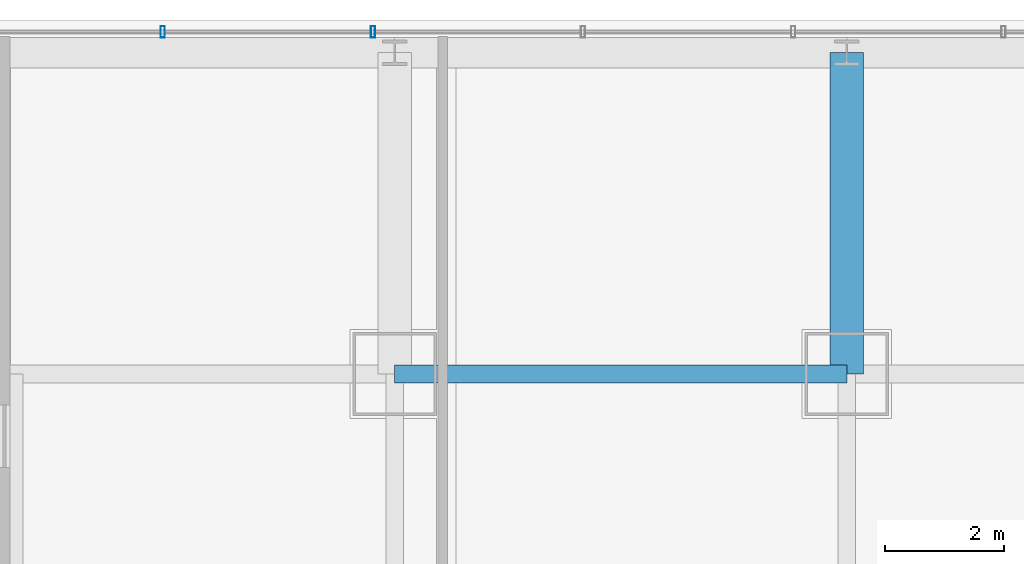
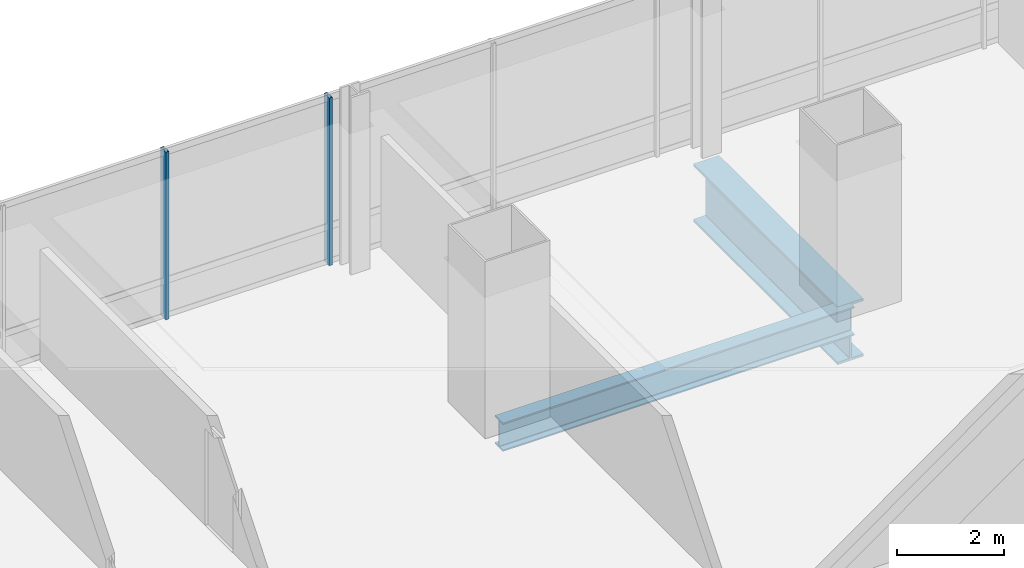
# One storey, part 23 of 38: 2 beams, 2 members, 1 element without a shape of its own.
"""IFC4 building model written with IfcOpenShell, lengths in metres."""

from ifc_helpers import new_model, si_unit, direction, frame, origin, origin_2d, place, context, subcontext, project, spatial, hollow_rectangle, i_section, extrude, material, material_profile, profile_set, type_object, element, aggregate, save


model = new_model("IFC4")

# Units and contexts
model_context = context("Model", 3, precision=1e-05, world=origin(), true_north=direction((0.0, 1.0)))
body_context = subcontext(model_context, "Body", "Model", "MODEL_VIEW")
ifc_project = project(units=[si_unit("LENGTHUNIT", "METRE"), si_unit("AREAUNIT", "SQUARE_METRE"), si_unit("VOLUMEUNIT", "CUBIC_METRE"), si_unit("PLANEANGLEUNIT", "RADIAN"), si_unit("MASSUNIT", "GRAM", prefix="KILO")], contexts=[model_context])

# Site, building, storey
site_placement = place(None, origin())
site = spatial("IfcSite", under=ifc_project, at=site_placement, CompositionType="ELEMENT")
building_placement = place(site_placement, origin())
building = spatial("IfcBuilding", under=site, at=building_placement, Name="Punatoya Terracotta Tower", CompositionType="ELEMENT")
storey_placement = place(building_placement, frame((0.0, 0.0, 147.89990234375)))
storey = spatial("IfcBuildingStorey", under=building, at=storey_placement, Name="L34", CompositionType="ELEMENT", Elevation=147.89990234375)

# Beams
ifc_material_1 = material(Name="Steel S355", Category="steel")
ifc_material_profile_1 = material_profile(ifc_material_1, i_section(OverallWidth=0.300048828125, OverallDepth=0.64990234375, WebThickness=0.01611328125, FlangeThickness=0.031005859375, FilletRadius=0.01806640625, at=origin_2d()))
ifc_profile_set_1 = profile_set([ifc_material_profile_1], Name="Steel S355")
beam_type_1 = type_object("IfcBeamType", Name="BM-PRI-650", PredefinedType="BEAM", material=ifc_profile_set_1)
beam_1_placement = place(storey_placement, frame((-3.800048828125, 17.5, -0.544921875), z_axis=(1.0, 0.0, 0.0), x_axis=(0.0, 1.0, 0.0)))
element("IfcBeam", 1, at=beam_1_placement, inside=storey, type_object=beam_type_1, Name="BM-L34-RG-N2", PredefinedType="BEAM", context=body_context, shape_type="SweptSolid", body=[
    extrude(i_section(OverallWidth=0.300048828125, OverallDepth=0.64990234375, WebThickness=0.01611328125, FlangeThickness=0.031005859375, FilletRadius=0.01806640625, at=origin_2d()), origin(), (0.0, 0.0, 1.0), 7.60009765625),
])
ifc_material_2 = material(Name="Steel S460", Category="steel")
ifc_material_profile_2 = material_profile(ifc_material_2, i_section(OverallWidth=0.56005859375, OverallDepth=1.320068359375, WebThickness=0.035888671875, FlangeThickness=0.054931640625, FilletRadius=0.01806640625, at=origin_2d()))
ifc_profile_set_2 = profile_set([ifc_material_profile_2], Name="Steel S460")
beam_type_2 = type_object("IfcBeamType", Name="BM-TG-BLK", PredefinedType="BEAM", material=ifc_profile_set_2)
beam_2_placement = place(storey_placement, frame((3.800048828125, 17.5, -0.8798828125), z_axis=(0.0, 1.0, 0.0), x_axis=(-1.0, 0.0, 0.0)))
element("IfcBeam", 2, at=beam_2_placement, inside=storey, type_object=beam_type_2, Name="BM-L34-CANT-N3", PredefinedType="BEAM", context=body_context, shape_type="SweptSolid", body=[
    extrude(i_section(OverallWidth=0.56005859375, OverallDepth=1.320068359375, WebThickness=0.035888671875, FlangeThickness=0.054931640625, FilletRadius=0.01806640625, at=origin_2d()), origin(), (0.0, 0.0, 1.0), 5.39990234375),
])

# Curtain wall, members
ifc_material_3 = material(Name="Aluminium 6063-T6 + Double Low-E Glass", Category="aluminium")
curtain_wall_type = type_object("IfcCurtainWallType", Name="CW-M2", PredefinedType="NOTDEFINED", material=ifc_material_3)
curtain_wall_placement = place(storey_placement, origin())
curtain_wall = element("IfcCurtainWall", 3, at=curtain_wall_placement, inside=storey, type_object=curtain_wall_type, Name="L34 Curtain Wall CW-L34-N09-1", PredefinedType="NOTDEFINED")
ifc_material_4 = material(Name="Aluminium 6063-T6", Category="aluminium")
ifc_material_profile_3 = material_profile(ifc_material_4, hollow_rectangle(XDim=0.072021484375, YDim=0.195068359375, WallThickness=0.00439453125, at=origin_2d()))
ifc_profile_set_3 = profile_set([ifc_material_profile_3], Name="Aluminium 6063-T6")
member_type = type_object("IfcMemberType", Name="CW-MUL-M2", PredefinedType="MULLION", material=ifc_profile_set_3)
member_1_placement = place(storey_placement, frame((-4.1669921875, 23.25, 0.0), z_axis=(0.0, 0.0, 1.0), x_axis=(1.0, 0.0, 0.0)))
member_1 = element("IfcMember", 4, at=member_1_placement, type_object=member_type, Name="CW-L34-N09-1 Mullion 06", PredefinedType="MULLION", context=body_context, shape_type="SweptSolid", body=[
    extrude(hollow_rectangle(XDim=0.072021484375, YDim=0.195068359375, WallThickness=0.00439453125, at=origin_2d()), origin(), (0.0, 0.0, 1.0), 3.830078125),
])
member_2_placement = place(storey_placement, frame((-7.700927734375, 23.25, 0.0), z_axis=(0.0, 0.0, 1.0), x_axis=(1.0, 0.0, 0.0)))
member_2 = element("IfcMember", 5, at=member_2_placement, type_object=member_type, Name="CW-L34-N09-1 Mullion 07", PredefinedType="MULLION", context=body_context, shape_type="SweptSolid", body=[
    extrude(hollow_rectangle(XDim=0.072021484375, YDim=0.195068359375, WallThickness=0.00439453125, at=origin_2d()), origin(), (0.0, 0.0, 1.0), 3.830078125),
])
aggregate(curtain_wall, [member_1, member_2])

save(model, "model.ifc")
